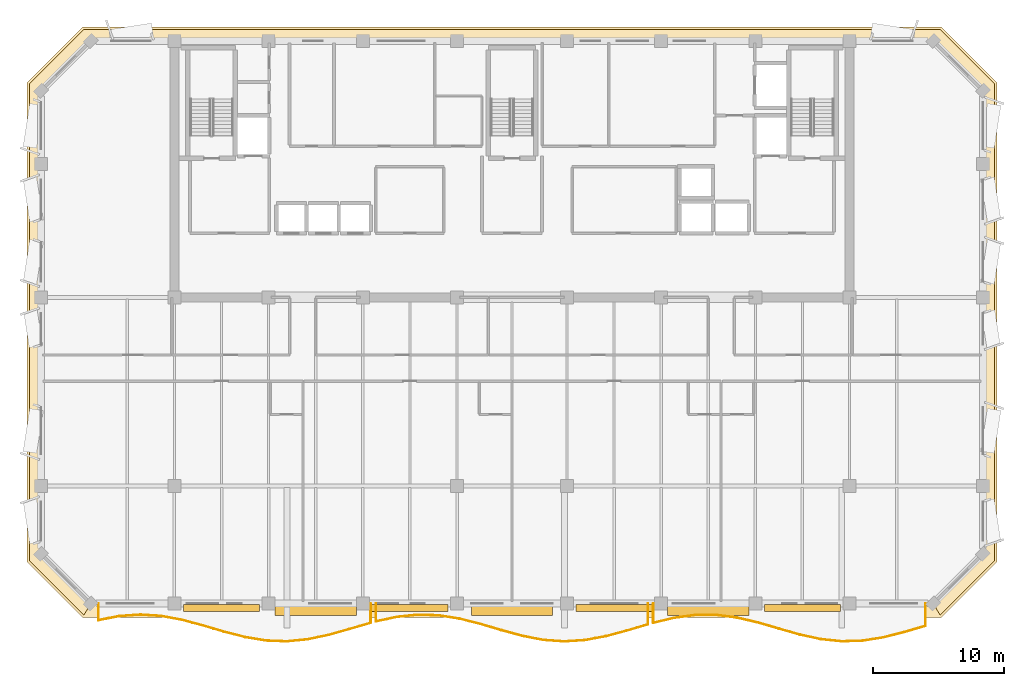
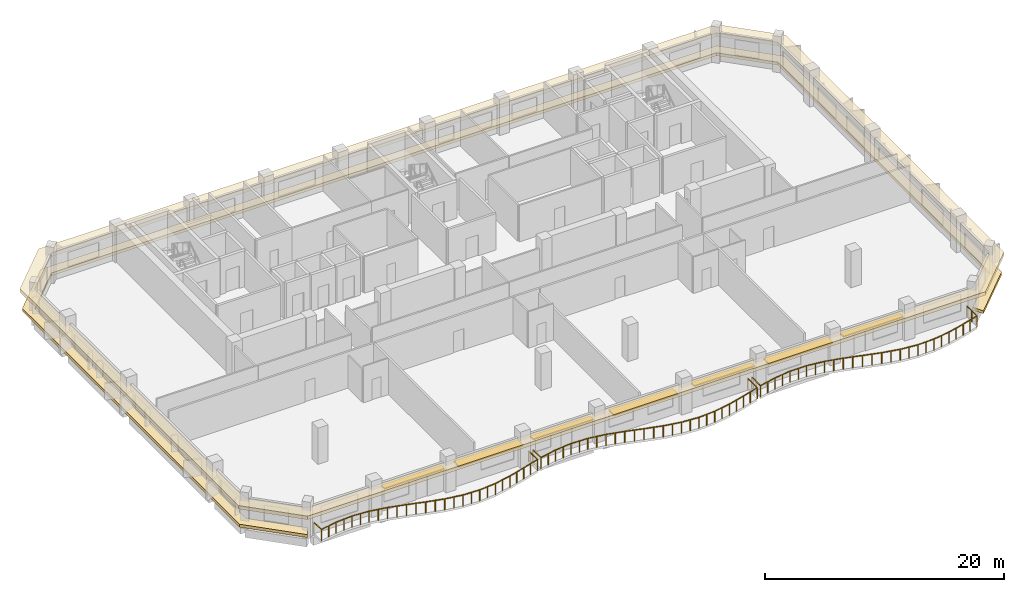
# One storey, part 9 of 11: 7 shading devices, 3 railings, 2 coverings.
"""IFC4 building model written with IfcOpenShell, lengths in metres."""

import ifcopenshell
import ifcopenshell.guid

model = None  # the IFC model being written
_history = None  # IfcOwnerHistory: only IFC2X3 demands one
_inside = {}  # id of a spatial element -> (the spatial element, [elements in it])
_under = {}  # id of a project, library or spatial element -> (it, [spatial elements below it])
_declared = {}  # id of a project -> (the project, [libraries it declares])
_typed = {}  # id of a type object -> (the type object, [elements of that type])
_made_of = {}  # id of a material, layer set ... -> (it, [elements and type objects made of it])


def new_model(schema):
    """Start an empty IFC model of exactly this schema.

    Asked for "IFC4X3", IfcOpenShell would pick the latest addendum, in which some entities
    have other attributes; the version numbers below select the first issue.
    IFC2X3 requires an IfcOwnerHistory on every rooted entity: one is made here for all.
    """
    global model, _history
    if schema == "IFC4X3":
        model = ifcopenshell.file(schema_version=(4, 3, 0, 0))
    else:
        model = ifcopenshell.file(schema=schema)
    _inside.clear()
    _under.clear()
    _declared.clear()
    _typed.clear()
    _made_of.clear()
    _history = None
    if model.schema == "IFC2X3":
        org = make("IfcOrganization", Name="unknown")
        user = make(
            "IfcPersonAndOrganization",
            ThePerson=make("IfcPerson", FamilyName="unknown"),
            TheOrganization=org,
        )
        app = make(
            "IfcApplication",
            ApplicationDeveloper=org,
            Version="unknown",
            ApplicationFullName="unknown",
            ApplicationIdentifier="unknown",
        )
        _history = make(
            "IfcOwnerHistory",
            OwningUser=user,
            OwningApplication=app,
            ChangeAction="ADDED",
            CreationDate=0,
        )
    return model


def make(cls, **values):
    """One entity of the class cls with the attributes given. An attribute that is None is left unset."""
    return model.create_entity(
        cls, **{name: value for name, value in values.items() if value is not None}
    )


def rooted(cls, **values):
    """An entity with a GlobalId (a new one), such as an element, a storey or a relation."""
    return make(cls, GlobalId=ifcopenshell.guid.new(), OwnerHistory=_history, **values)


def si_unit(unit_type, name, prefix=None):
    """IfcSIUnit, for example si_unit("LENGTHUNIT", "METRE", prefix="MILLI")."""
    return make("IfcSIUnit", UnitType=unit_type, Prefix=prefix, Name=name)


def assignment(units):
    """IfcUnitAssignment: the units of a project."""
    return None if units is None else make("IfcUnitAssignment", Units=units)


def point(xyz):
    """IfcCartesianPoint."""
    return None if xyz is None else make("IfcCartesianPoint", Coordinates=xyz)


def direction(xyz):
    """IfcDirection."""
    return None if xyz is None else make("IfcDirection", DirectionRatios=xyz)


def frame(location, z_axis=None, x_axis=None):
    """IfcAxis2Placement3D, a coordinate frame: its origin and axes. An axis left out is left unset."""
    return make(
        "IfcAxis2Placement3D",
        Location=point(location),
        Axis=direction(z_axis),
        RefDirection=direction(x_axis),
    )


def frame_2d(location, x_axis=None):
    """IfcAxis2Placement2D, a coordinate frame in the plane: its origin and x axis."""
    return make(
        "IfcAxis2Placement2D", Location=point(location), RefDirection=direction(x_axis)
    )


def origin():
    """The frame at (0, 0, 0) with its axes left unset."""
    return frame((0.0, 0.0, 0.0))


def origin_2d():
    """The frame at (0, 0) in the plane with its x axis left unset."""
    return frame_2d((0.0, 0.0))


def place(relative_to, where):
    """IfcLocalPlacement: puts the frame where relative to a parent placement (None: the world)."""
    return make(
        "IfcLocalPlacement", PlacementRelTo=relative_to, RelativePlacement=where
    )


def context(
    kind, dimensions, precision=None, world=None, true_north=None, identifier=None
):
    """IfcGeometricRepresentationContext, for example the 3D "Model" context."""
    return make(
        "IfcGeometricRepresentationContext",
        ContextIdentifier=identifier,
        ContextType=kind,
        CoordinateSpaceDimension=dimensions,
        Precision=precision,
        WorldCoordinateSystem=world,
        TrueNorth=true_north,
    )


def subcontext(parent, identifier, kind, view, scale=None):
    """IfcGeometricRepresentationSubContext, for example "Body" below "Model"."""
    return make(
        "IfcGeometricRepresentationSubContext",
        ContextIdentifier=identifier,
        ContextType=kind,
        ParentContext=parent,
        TargetScale=scale,
        TargetView=view,
    )


def project(units=None, contexts=None):
    """IfcProject with its units and contexts."""
    return rooted(
        "IfcProject",
        Name="project",
        RepresentationContexts=contexts,
        UnitsInContext=assignment(units),
    )


def spatial(cls, under=None, at=None, **own):
    """A site, building, storey or space (cls), placed at a placement, below another one or the project."""
    s = rooted(cls, ObjectPlacement=at, **own)
    if under is not None:
        _under.setdefault(under.id(), (under, []))[1].append(s)
    return s


def polyline(points):
    """IfcPolyline through the points."""
    return make("IfcPolyline", Points=[point(p) for p in points])


def profile(cls, at=None, kind="AREA", **sizes):
    """A parametric profile (cls). Its sizes go by their IFC names, for example OverallWidth=200.0."""
    return make(cls, ProfileType=kind, Position=at, **sizes)


def rectangle(**sizes):
    """IfcRectangleProfileDef."""
    return profile("IfcRectangleProfileDef", **sizes)


def outline(outer, holes=None, kind="AREA"):
    """IfcArbitraryClosedProfileDef: a profile drawn as a closed curve; with holes, ...WithVoids."""
    if holes is None:
        return make("IfcArbitraryClosedProfileDef", ProfileType=kind, OuterCurve=outer)
    return make(
        "IfcArbitraryProfileDefWithVoids",
        ProfileType=kind,
        OuterCurve=outer,
        InnerCurves=holes,
    )


def extrude(swept, where, along, depth):
    """IfcExtrudedAreaSolid: the profile swept, set in the frame where, extruded along a direction by depth."""
    return make(
        "IfcExtrudedAreaSolid",
        SweptArea=swept,
        Position=where,
        ExtrudedDirection=direction(along),
        Depth=depth,
    )


def shape(context_of_items, identifier, shape_type, items):
    """IfcShapeRepresentation: the items that make up one representation, for example the "Body"."""
    return make(
        "IfcShapeRepresentation",
        ContextOfItems=context_of_items,
        RepresentationIdentifier=identifier,
        RepresentationType=shape_type,
        Items=items,
    )


def material(Name=None, Category=None):
    """IfcMaterial."""
    return make("IfcMaterial", Name=Name, Category=Category)


def layer(
    of_material, thickness, ventilated=None, Name=None, Category=None, Priority=None
):
    """IfcMaterialLayer: one layer of a wall or slab, of a material (None: an air gap)."""
    return make(
        "IfcMaterialLayer",
        Material=of_material,
        LayerThickness=thickness,
        IsVentilated=ventilated,
        Name=Name,
        Category=Category,
        Priority=Priority,
    )


def layer_set(layers, Name=None):
    """IfcMaterialLayerSet."""
    return make("IfcMaterialLayerSet", MaterialLayers=layers, LayerSetName=Name)


def made_of(thing, what):
    """Note that an element or type object is made of a material, layer set ...; save() writes the relation."""
    if what is not None:
        _made_of.setdefault(what.id(), (what, []))[1].append(thing)
    return thing


def type_object(cls, material=None, **own):
    """A type object (cls), such as IfcWallType, which elements share."""
    return made_of(rooted(cls, **own), material)


def element(
    cls,
    number,
    at=None,
    inside=None,
    cuts=None,
    type_object=None,
    material=None,
    context=None,
    identifier="Body",
    shape_type=None,
    held_by="IfcProductDefinitionShape",
    body=None,
    shapes=None,
    **own,
):
    """One element of the class cls, such as IfcWall. Its Tag is "e" and its number.

    at: its placement. inside: the storey or other place that contains it. cuts: it is an
    opening in that element (IfcRelVoidsElement). A single representation is given by context,
    identifier, shape_type and body (its items); several are given by shapes. held_by: the class
    of the entity that holds the representations. save() writes the other relations.
    """
    e = rooted(cls, Tag="e%d" % number, ObjectPlacement=at, **own)
    if body is not None:
        shapes = [shape(context, identifier, shape_type, body)]
    if shapes is not None:
        e.Representation = make(held_by, Representations=shapes)
    if inside is not None:
        _inside.setdefault(inside.id(), (inside, []))[1].append(e)
    if cuts is not None:
        rooted(
            "IfcRelVoidsElement", RelatingBuildingElement=cuts, RelatedOpeningElement=e
        )
    if type_object is not None:
        _typed.setdefault(type_object.id(), (type_object, []))[1].append(e)
    return made_of(e, material)


def aggregate(whole, parts):
    """IfcRelAggregates: a whole, such as a stair, and the parts it consists of."""
    return rooted("IfcRelAggregates", RelatingObject=whole, RelatedObjects=parts)


def save(model, path):
    """Write the relations noted so far, then the file.

    IfcRelAggregates (storeys below a building ...), IfcRelContainedInSpatialStructure (elements
    in a storey), IfcRelDefinesByType, IfcRelAssociatesMaterial and IfcRelDeclares: one each for
    every whole, place, type object, material and project.
    """
    for whole, parts in _under.values():
        aggregate(whole, parts)
    for where, things in _inside.values():
        rooted(
            "IfcRelContainedInSpatialStructure",
            RelatedElements=things,
            RelatingStructure=where,
        )
    for kind, things in _typed.values():
        rooted("IfcRelDefinesByType", RelatedObjects=things, RelatingType=kind)
    for what, things in _made_of.values():
        rooted("IfcRelAssociatesMaterial", RelatedObjects=things, RelatingMaterial=what)
    for by, libraries in _declared.values():
        rooted("IfcRelDeclares", RelatingContext=by, RelatedDefinitions=libraries)
    model.write(path)


model = new_model("IFC4")

# Units and contexts
model_context = context("Model", 3, precision=1e-05, world=origin(), true_north=direction((0.0, 1.0)))
body_context = subcontext(model_context, "Body", "Model", "MODEL_VIEW")
ifc_project = project(units=[si_unit("LENGTHUNIT", "METRE"), si_unit("AREAUNIT", "SQUARE_METRE"), si_unit("VOLUMEUNIT", "CUBIC_METRE"), si_unit("PLANEANGLEUNIT", "RADIAN"), si_unit("MASSUNIT", "GRAM", prefix="KILO")], contexts=[model_context])

# Site, building, storey
site_placement = place(None, origin())
site = spatial("IfcSite", under=ifc_project, at=site_placement, CompositionType="ELEMENT")
building_placement = place(site_placement, origin())
building = spatial("IfcBuilding", under=site, at=building_placement, Name="Kaelvorn Grand Hotel", CompositionType="ELEMENT")
storey_placement = place(building_placement, frame((0.0, 0.0, 268.64990234375)))
storey = spatial("IfcBuildingStorey", under=building, at=storey_placement, Name="L66", CompositionType="ELEMENT", Elevation=268.64990234375)

# Coverings
ifc_material_1 = material(Name="Precast concrete C45/55", Category="concrete")
ifc_layer_1 = layer(ifc_material_1, 0.260009765625)
ifc_layer_set_1 = layer_set([ifc_layer_1], Name="Precast concrete C45/55")
covering_type_1 = type_object("IfcCoveringType", Name="COV-BAND-STREAMLINE-HEAD", PredefinedType="CLADDING", material=ifc_layer_set_1)
covering_1_placement = place(storey_placement, frame((0.0, 0.0, 2.420166015625)))
element("IfcCovering", 1, at=covering_1_placement, inside=storey, type_object=covering_type_1, Name="L66 Streamline Moderne Wraparound Horizontal Eyebrow Band", PredefinedType="CLADDING", context=body_context, shape_type="SweptSolid", body=[
    extrude(outline(polyline([(9.18994140625, 4.949951171875), (74.81005859375, 4.949951171875), (79.050048828125, 9.18994140625), (79.050048828125, 45.81005859375), (74.81005859375, 50.050048828125), (9.18994140625, 50.050048828125), (4.949951171875, 45.81005859375), (4.949951171875, 9.18994140625), (9.18994140625, 4.949951171875)]), holes=[polyline([(9.820068359375, 6.030029296875), (74.179931640625, 6.030029296875), (77.969970703125, 9.820068359375), (77.969970703125, 45.179931640625), (74.179931640625, 48.969970703125), (9.820068359375, 48.969970703125), (6.030029296875, 45.179931640625), (6.030029296875, 9.820068359375), (9.820068359375, 6.030029296875)])]), origin(), (0.0, 0.0, 1.0), 0.35986328125),
])
ifc_layer_2 = layer(ifc_material_1, 0.219970703125)
ifc_layer_set_2 = layer_set([ifc_layer_2], Name="Precast concrete C45/55")
covering_type_2 = type_object("IfcCoveringType", Name="COV-BAND-STREAMLINE-SILL", PredefinedType="CLADDING", material=ifc_layer_set_2)
covering_2_placement = place(storey_placement, frame((0.0, 0.0, 0.4501953125)))
element("IfcCovering", 2, at=covering_2_placement, inside=storey, type_object=covering_type_2, Name="L66 Streamline Moderne Wraparound Horizontal Sill Spandrel Band", PredefinedType="CLADDING", context=body_context, shape_type="SweptSolid", body=[
    extrude(outline(polyline([(74.715576171875, 5.1201171875), (78.8798828125, 9.284423828125), (78.8798828125, 45.715576171875), (74.715576171875, 49.8798828125), (9.284423828125, 49.8798828125), (5.1201171875, 45.715576171875), (5.1201171875, 9.284423828125), (9.284423828125, 5.1201171875), (9.817626953125, 6.030029296875), (6.030029296875, 9.817626953125), (6.030029296875, 45.182373046875), (9.817626953125, 48.969970703125), (74.182373046875, 48.969970703125), (77.969970703125, 45.182373046875), (77.969970703125, 9.817626953125), (74.182373046875, 6.030029296875), (74.715576171875, 5.1201171875)])), origin(), (0.0, 0.0, 1.0), 0.2998046875),
])

# Railings
ifc_material_2 = material(Name="Stainless Steel", Category="steel")
railing_type = type_object("IfcRailingType", Name="RL-BALC-1150", PredefinedType="BALUSTRADE", material=ifc_material_2)
railing_1_placement = place(storey_placement, frame((10.39990234375, 6.0, 0.0)))
element("IfcRailing", 3, at=railing_1_placement, inside=storey, type_object=railing_type, Name="L66 Scalloped Wave Balcony Balustrade GR1-1", PredefinedType="BALUSTRADE", context=body_context, shape_type="SweptSolid", body=[
    extrude(rectangle(XDim=0.048095703125, YDim=0.048095703125, at=origin_2d()), frame((0.0, 0.0, 1.1259765625), z_axis=(0.0, -1.0, 0.0), x_axis=(1.0, 0.0, 0.0)), (0.0, 0.0, 1.0), 1.2724609375),
    extrude(rectangle(XDim=0.048095703125, YDim=0.048095703125, at=origin_2d()), frame((0.0, -1.2724609375, 1.1259765625), z_axis=(0.981961535476, 0.189080783914, 0.0), x_axis=(-0.189080783914, 0.981961535476, 0.0)), (0.0, 0.0, 1.0), 1.62939453125),
    extrude(rectangle(XDim=0.048095703125, YDim=0.048095703125, at=origin_2d()), frame((1.60009765625, -0.96435546875, 1.1259765625), z_axis=(0.997460244683, 0.071225418754, 0.0), x_axis=(-0.071225418754, 0.997460244683, 0.0)), (0.0, 0.0, 1.0), 1.604248046875),
    extrude(rectangle(XDim=0.048095703125, YDim=0.048095703125, at=origin_2d()), frame((3.2001953125, -0.85009765625, 1.1259765625), z_axis=(0.997903474777, -0.064719819438, 0.0), x_axis=(0.064719819438, 0.997903474777, 0.0)), (0.0, 0.0, 1.0), 1.603271484375),
    extrude(rectangle(XDim=0.048095703125, YDim=0.048095703125, at=origin_2d()), frame((4.800048828125, -0.953857421875, 1.1259765625), z_axis=(0.982923083623, -0.184016878792, 0.0), x_axis=(0.184016878792, 0.982923083623, 0.0)), (0.0, 0.0, 1.0), 1.6279296875),
    extrude(rectangle(XDim=0.048095703125, YDim=0.048095703125, at=origin_2d()), frame((6.400146484375, -1.25341796875, 1.1259765625), z_axis=(0.965440575101, -0.260623283588, 0.0), x_axis=(0.260623283588, 0.965440575101, 0.0)), (0.0, 0.0, 1.0), 1.6572265625),
    extrude(rectangle(XDim=0.048095703125, YDim=0.048095703125, at=origin_2d()), frame((8.0, -1.685302734375, 1.1259765625), z_axis=(0.959113452177, -0.283021882287, 0.0), x_axis=(0.283021882287, 0.959113452177, 0.0)), (0.0, 0.0, 1.0), 1.668212890625),
    extrude(rectangle(XDim=0.048095703125, YDim=0.048095703125, at=origin_2d()), frame((9.60009765625, -2.157470703125, 1.1259765625), z_axis=(0.968397147337, -0.249413241487, 0.0), x_axis=(0.249413241487, 0.968397147337, 0.0)), (0.0, 0.0, 1.0), 1.65234375),
    extrude(rectangle(XDim=0.048095703125, YDim=0.048095703125, at=origin_2d()), frame((11.2001953125, -2.569580078125, 1.1259765625), z_axis=(0.986616814557, -0.163056006434, 0.0), x_axis=(0.163056006434, 0.986616814557, 0.0)), (0.0, 0.0, 1.0), 1.62158203125),
    extrude(rectangle(XDim=0.048095703125, YDim=0.048095703125, at=origin_2d()), frame((12.800048828125, -2.833984375, 1.1259765625), z_axis=(0.999290604033, -0.037660173817, 0.0), x_axis=(0.037660173817, 0.999290604033, 0.0)), (0.0, 0.0, 1.0), 1.601318359375),
    extrude(rectangle(XDim=0.048095703125, YDim=0.048095703125, at=origin_2d()), frame((14.400146484375, -2.894287109375, 1.1259765625), z_axis=(0.995249900455, 0.097353149121, 0.0), x_axis=(-0.097353149121, 0.995249900455, 0.0)), (0.0, 0.0, 1.0), 1.607421875),
    extrude(rectangle(XDim=0.048095703125, YDim=0.048095703125, at=origin_2d()), frame((16.0, -2.73779296875, 1.1259765625), z_axis=(0.97815050545, 0.207898024732, 0.0), x_axis=(-0.207898024732, 0.97815050545, 0.0)), (0.0, 0.0, 1.0), 1.6357421875),
    extrude(rectangle(XDim=0.048095703125, YDim=0.048095703125, at=origin_2d()), frame((17.60009765625, -2.397705078125, 1.1259765625), z_axis=(0.962471316232, 0.271383428806, 0.0), x_axis=(-0.271383428806, 0.962471316232, 0.0)), (0.0, 0.0, 1.0), 1.66259765625),
    extrude(rectangle(XDim=0.048095703125, YDim=0.048095703125, at=origin_2d()), frame((19.2001953125, -1.946533203125, 1.1259765625), z_axis=(0.960011484756, 0.279960620688, 0.0), x_axis=(-0.279960620688, 0.960011484756, 0.0)), (0.0, 0.0, 1.0), 1.66650390625),
    extrude(rectangle(XDim=0.048095703125, YDim=0.048095703125, at=origin_2d()), frame((20.800048828125, -1.47998046875, 1.1259765625), z_axis=(0.0, 1.0, 0.0), x_axis=(-1.0, 0.0, 0.0)), (0.0, 0.0, 1.0), 1.47998046875),
    extrude(rectangle(XDim=0.0419921875, YDim=0.0419921875, at=origin_2d()), origin(), (0.0, 0.0, 1.0), 1.101806640625),
    extrude(rectangle(XDim=0.0419921875, YDim=0.0419921875, at=origin_2d()), frame((0.0, -1.2724609375, 0.0)), (0.0, 0.0, 1.0), 1.101806640625),
    extrude(rectangle(XDim=0.0419921875, YDim=0.0419921875, at=origin_2d()), frame((0.800048828125, -1.118408203125, 0.0)), (0.0, 0.0, 1.0), 1.101806640625),
    extrude(rectangle(XDim=0.0419921875, YDim=0.0419921875, at=origin_2d()), frame((1.60009765625, -0.96435546875, 0.0)), (0.0, 0.0, 1.0), 1.101806640625),
    extrude(rectangle(XDim=0.0419921875, YDim=0.0419921875, at=origin_2d()), frame((2.400146484375, -0.9072265625, 0.0)), (0.0, 0.0, 1.0), 1.101806640625),
    extrude(rectangle(XDim=0.0419921875, YDim=0.0419921875, at=origin_2d()), frame((3.2001953125, -0.85009765625, 0.0)), (0.0, 0.0, 1.0), 1.101806640625),
    extrude(rectangle(XDim=0.0419921875, YDim=0.0419921875, at=origin_2d()), frame((4.0, -0.90185546875, 0.0)), (0.0, 0.0, 1.0), 1.101806640625),
    extrude(rectangle(XDim=0.0419921875, YDim=0.0419921875, at=origin_2d()), frame((4.800048828125, -0.953857421875, 0.0)), (0.0, 0.0, 1.0), 1.101806640625),
    extrude(rectangle(XDim=0.0419921875, YDim=0.0419921875, at=origin_2d()), frame((5.60009765625, -1.103515625, 0.0)), (0.0, 0.0, 1.0), 1.101806640625),
    extrude(rectangle(XDim=0.0419921875, YDim=0.0419921875, at=origin_2d()), frame((6.400146484375, -1.25341796875, 0.0)), (0.0, 0.0, 1.0), 1.101806640625),
    extrude(rectangle(XDim=0.0419921875, YDim=0.0419921875, at=origin_2d()), frame((7.2001953125, -1.46923828125, 0.0)), (0.0, 0.0, 1.0), 1.101806640625),
    extrude(rectangle(XDim=0.0419921875, YDim=0.0419921875, at=origin_2d()), frame((8.0, -1.685302734375, 0.0)), (0.0, 0.0, 1.0), 1.101806640625),
    extrude(rectangle(XDim=0.0419921875, YDim=0.0419921875, at=origin_2d()), frame((8.800048828125, -1.92138671875, 0.0)), (0.0, 0.0, 1.0), 1.101806640625),
    extrude(rectangle(XDim=0.0419921875, YDim=0.0419921875, at=origin_2d()), frame((9.60009765625, -2.157470703125, 0.0)), (0.0, 0.0, 1.0), 1.101806640625),
    extrude(rectangle(XDim=0.0419921875, YDim=0.0419921875, at=origin_2d()), frame((10.400146484375, -2.363525390625, 0.0)), (0.0, 0.0, 1.0), 1.101806640625),
    extrude(rectangle(XDim=0.0419921875, YDim=0.0419921875, at=origin_2d()), frame((11.2001953125, -2.569580078125, 0.0)), (0.0, 0.0, 1.0), 1.101806640625),
    extrude(rectangle(XDim=0.0419921875, YDim=0.0419921875, at=origin_2d()), frame((12.0, -2.70166015625, 0.0)), (0.0, 0.0, 1.0), 1.101806640625),
    extrude(rectangle(XDim=0.0419921875, YDim=0.0419921875, at=origin_2d()), frame((12.800048828125, -2.833984375, 0.0)), (0.0, 0.0, 1.0), 1.101806640625),
    extrude(rectangle(XDim=0.0419921875, YDim=0.0419921875, at=origin_2d()), frame((13.60009765625, -2.8642578125, 0.0)), (0.0, 0.0, 1.0), 1.101806640625),
    extrude(rectangle(XDim=0.0419921875, YDim=0.0419921875, at=origin_2d()), frame((14.400146484375, -2.894287109375, 0.0)), (0.0, 0.0, 1.0), 1.101806640625),
    extrude(rectangle(XDim=0.0419921875, YDim=0.0419921875, at=origin_2d()), frame((15.2001953125, -2.81591796875, 0.0)), (0.0, 0.0, 1.0), 1.101806640625),
    extrude(rectangle(XDim=0.0419921875, YDim=0.0419921875, at=origin_2d()), frame((16.0, -2.73779296875, 0.0)), (0.0, 0.0, 1.0), 1.101806640625),
    extrude(rectangle(XDim=0.0419921875, YDim=0.0419921875, at=origin_2d()), frame((16.800048828125, -2.56787109375, 0.0)), (0.0, 0.0, 1.0), 1.101806640625),
    extrude(rectangle(XDim=0.0419921875, YDim=0.0419921875, at=origin_2d()), frame((17.60009765625, -2.397705078125, 0.0)), (0.0, 0.0, 1.0), 1.101806640625),
    extrude(rectangle(XDim=0.0419921875, YDim=0.0419921875, at=origin_2d()), frame((18.400146484375, -2.172119140625, 0.0)), (0.0, 0.0, 1.0), 1.101806640625),
    extrude(rectangle(XDim=0.0419921875, YDim=0.0419921875, at=origin_2d()), frame((19.2001953125, -1.946533203125, 0.0)), (0.0, 0.0, 1.0), 1.101806640625),
    extrude(rectangle(XDim=0.0419921875, YDim=0.0419921875, at=origin_2d()), frame((20.0, -1.71337890625, 0.0)), (0.0, 0.0, 1.0), 1.101806640625),
    extrude(rectangle(XDim=0.0419921875, YDim=0.0419921875, at=origin_2d()), frame((20.800048828125, -1.47998046875, 0.0)), (0.0, 0.0, 1.0), 1.101806640625),
    extrude(rectangle(XDim=0.0419921875, YDim=0.0419921875, at=origin_2d()), frame((20.800048828125, 0.0, 0.0)), (0.0, 0.0, 1.0), 1.101806640625),
])
railing_2_placement = place(storey_placement, frame((31.60009765625, 6.0, 0.0)))
element("IfcRailing", 4, at=railing_2_placement, inside=storey, type_object=railing_type, Name="L66 Scalloped Wave Balcony Balustrade GR1-2", PredefinedType="BALUSTRADE", context=body_context, shape_type="SweptSolid", body=[
    extrude(rectangle(XDim=0.048095703125, YDim=0.048095703125, at=origin_2d()), frame((0.0, 0.0, 1.1259765625), z_axis=(0.0, -1.0, 0.0), x_axis=(1.0, 0.0, 0.0)), (0.0, 0.0, 1.0), 1.372802734375),
    extrude(rectangle(XDim=0.048095703125, YDim=0.048095703125, at=origin_2d()), frame((0.0, -1.372802734375, 1.1259765625), z_axis=(0.977193856825, 0.212349161013, 0.0), x_axis=(-0.212349161013, 0.977193856825, 0.0)), (0.0, 0.0, 1.0), 1.63720703125),
    extrude(rectangle(XDim=0.048095703125, YDim=0.048095703125, at=origin_2d()), frame((1.599853515625, -1.025146484375, 1.1259765625), z_axis=(0.994613846753, 0.103649871427, 0.0), x_axis=(-0.103649871427, 0.994613846753, 0.0)), (0.0, 0.0, 1.0), 1.608642578125),
    extrude(rectangle(XDim=0.048095703125, YDim=0.048095703125, at=origin_2d()), frame((3.199951171875, -0.8583984375, 1.1259765625), z_axis=(0.999525230254, -0.030810941021, 0.0), x_axis=(0.030810941021, 0.999525230254, 0.0)), (0.0, 0.0, 1.0), 1.6005859375),
    extrude(rectangle(XDim=0.048095703125, YDim=0.048095703125, at=origin_2d()), frame((4.7998046875, -0.90771484375, 1.1259765625), z_axis=(0.987502610882, -0.157602644337, 0.0), x_axis=(0.157602644337, 0.987502610882, 0.0)), (0.0, 0.0, 1.0), 1.620361328125),
    extrude(rectangle(XDim=0.048095703125, YDim=0.048095703125, at=origin_2d()), frame((6.39990234375, -1.1630859375, 1.1259765625), z_axis=(0.969213406092, -0.246222203409, 0.0), x_axis=(0.246222203409, 0.969213406092, 0.0)), (0.0, 0.0, 1.0), 1.65087890625),
    extrude(rectangle(XDim=0.048095703125, YDim=0.048095703125, at=origin_2d()), frame((8.0, -1.569580078125, 1.1259765625), z_axis=(0.959181165875, -0.282792310769, 0.0), x_axis=(0.282792310769, 0.959181165875, 0.0)), (0.0, 0.0, 1.0), 1.66796875),
    extrude(rectangle(XDim=0.048095703125, YDim=0.048095703125, at=origin_2d()), frame((9.599853515625, -2.041259765625, 1.1259765625), z_axis=(0.964780804406, -0.263055126255, 0.0), x_axis=(0.263055126255, 0.964780804406, 0.0)), (0.0, 0.0, 1.0), 1.658447265625),
    extrude(rectangle(XDim=0.048095703125, YDim=0.048095703125, at=origin_2d()), frame((11.199951171875, -2.4775390625, 1.1259765625), z_axis=(0.981956177773, -0.189108606188, 0.0), x_axis=(0.189108606188, 0.981956177773, 0.0)), (0.0, 0.0, 1.0), 1.629150390625),
    extrude(rectangle(XDim=0.048095703125, YDim=0.048095703125, at=origin_2d()), frame((12.7998046875, -2.78564453125, 1.1259765625), z_axis=(0.997460244683, -0.071225418754, 0.0), x_axis=(0.071225418754, 0.997460244683, 0.0)), (0.0, 0.0, 1.0), 1.604248046875),
    extrude(rectangle(XDim=0.048095703125, YDim=0.048095703125, at=origin_2d()), frame((14.39990234375, -2.89990234375, 1.1259765625), z_axis=(0.997904112488, 0.064709985933, 0.0), x_axis=(-0.064709985933, 0.997904112488, 0.0)), (0.0, 0.0, 1.0), 1.603515625),
    extrude(rectangle(XDim=0.048095703125, YDim=0.048095703125, at=origin_2d()), frame((16.0, -2.796142578125, 1.1259765625), z_axis=(0.982918004082, 0.184044009005, 0.0), x_axis=(-0.184044009005, 0.982918004082, 0.0)), (0.0, 0.0, 1.0), 1.627685546875),
    extrude(rectangle(XDim=0.048095703125, YDim=0.048095703125, at=origin_2d()), frame((17.599853515625, -2.49658203125, 1.1259765625), z_axis=(0.965450580149, 0.260586218536, 0.0), x_axis=(-0.260586218536, 0.965450580149, 0.0)), (0.0, 0.0, 1.0), 1.657470703125),
    extrude(rectangle(XDim=0.048095703125, YDim=0.048095703125, at=origin_2d()), frame((19.199951171875, -2.064697265625, 1.1259765625), z_axis=(0.959101727658, 0.283061611673, 0.0), x_axis=(-0.283061611673, 0.959101727658, 0.0)), (0.0, 0.0, 1.0), 1.66796875),
    extrude(rectangle(XDim=0.048095703125, YDim=0.048095703125, at=origin_2d()), frame((20.7998046875, -1.592529296875, 1.1259765625), z_axis=(0.0, 1.0, 0.0), x_axis=(-1.0, 0.0, 0.0)), (0.0, 0.0, 1.0), 1.592529296875),
    extrude(rectangle(XDim=0.0419921875, YDim=0.0419921875, at=origin_2d()), origin(), (0.0, 0.0, 1.0), 1.101806640625),
    extrude(rectangle(XDim=0.0419921875, YDim=0.0419921875, at=origin_2d()), frame((0.0, -1.372802734375, 0.0)), (0.0, 0.0, 1.0), 1.101806640625),
    extrude(rectangle(XDim=0.0419921875, YDim=0.0419921875, at=origin_2d()), frame((0.7998046875, -1.198974609375, 0.0)), (0.0, 0.0, 1.0), 1.101806640625),
    extrude(rectangle(XDim=0.0419921875, YDim=0.0419921875, at=origin_2d()), frame((1.599853515625, -1.025146484375, 0.0)), (0.0, 0.0, 1.0), 1.101806640625),
    extrude(rectangle(XDim=0.0419921875, YDim=0.0419921875, at=origin_2d()), frame((2.39990234375, -0.94189453125, 0.0)), (0.0, 0.0, 1.0), 1.101806640625),
    extrude(rectangle(XDim=0.0419921875, YDim=0.0419921875, at=origin_2d()), frame((3.199951171875, -0.8583984375, 0.0)), (0.0, 0.0, 1.0), 1.101806640625),
    extrude(rectangle(XDim=0.0419921875, YDim=0.0419921875, at=origin_2d()), frame((4.0, -0.883056640625, 0.0)), (0.0, 0.0, 1.0), 1.101806640625),
    extrude(rectangle(XDim=0.0419921875, YDim=0.0419921875, at=origin_2d()), frame((4.7998046875, -0.90771484375, 0.0)), (0.0, 0.0, 1.0), 1.101806640625),
    extrude(rectangle(XDim=0.0419921875, YDim=0.0419921875, at=origin_2d()), frame((5.599853515625, -1.035400390625, 0.0)), (0.0, 0.0, 1.0), 1.101806640625),
    extrude(rectangle(XDim=0.0419921875, YDim=0.0419921875, at=origin_2d()), frame((6.39990234375, -1.1630859375, 0.0)), (0.0, 0.0, 1.0), 1.101806640625),
    extrude(rectangle(XDim=0.0419921875, YDim=0.0419921875, at=origin_2d()), frame((7.199951171875, -1.3662109375, 0.0)), (0.0, 0.0, 1.0), 1.101806640625),
    extrude(rectangle(XDim=0.0419921875, YDim=0.0419921875, at=origin_2d()), frame((8.0, -1.569580078125, 0.0)), (0.0, 0.0, 1.0), 1.101806640625),
    extrude(rectangle(XDim=0.0419921875, YDim=0.0419921875, at=origin_2d()), frame((8.7998046875, -1.805419921875, 0.0)), (0.0, 0.0, 1.0), 1.101806640625),
    extrude(rectangle(XDim=0.0419921875, YDim=0.0419921875, at=origin_2d()), frame((9.599853515625, -2.041259765625, 0.0)), (0.0, 0.0, 1.0), 1.101806640625),
    extrude(rectangle(XDim=0.0419921875, YDim=0.0419921875, at=origin_2d()), frame((10.39990234375, -2.25927734375, 0.0)), (0.0, 0.0, 1.0), 1.101806640625),
    extrude(rectangle(XDim=0.0419921875, YDim=0.0419921875, at=origin_2d()), frame((11.199951171875, -2.4775390625, 0.0)), (0.0, 0.0, 1.0), 1.101806640625),
    extrude(rectangle(XDim=0.0419921875, YDim=0.0419921875, at=origin_2d()), frame((12.0, -2.631591796875, 0.0)), (0.0, 0.0, 1.0), 1.101806640625),
    extrude(rectangle(XDim=0.0419921875, YDim=0.0419921875, at=origin_2d()), frame((12.7998046875, -2.78564453125, 0.0)), (0.0, 0.0, 1.0), 1.101806640625),
    extrude(rectangle(XDim=0.0419921875, YDim=0.0419921875, at=origin_2d()), frame((13.599853515625, -2.8427734375, 0.0)), (0.0, 0.0, 1.0), 1.101806640625),
    extrude(rectangle(XDim=0.0419921875, YDim=0.0419921875, at=origin_2d()), frame((14.39990234375, -2.89990234375, 0.0)), (0.0, 0.0, 1.0), 1.101806640625),
    extrude(rectangle(XDim=0.0419921875, YDim=0.0419921875, at=origin_2d()), frame((15.199951171875, -2.84814453125, 0.0)), (0.0, 0.0, 1.0), 1.101806640625),
    extrude(rectangle(XDim=0.0419921875, YDim=0.0419921875, at=origin_2d()), frame((16.0, -2.796142578125, 0.0)), (0.0, 0.0, 1.0), 1.101806640625),
    extrude(rectangle(XDim=0.0419921875, YDim=0.0419921875, at=origin_2d()), frame((16.7998046875, -2.646484375, 0.0)), (0.0, 0.0, 1.0), 1.101806640625),
    extrude(rectangle(XDim=0.0419921875, YDim=0.0419921875, at=origin_2d()), frame((17.599853515625, -2.49658203125, 0.0)), (0.0, 0.0, 1.0), 1.101806640625),
    extrude(rectangle(XDim=0.0419921875, YDim=0.0419921875, at=origin_2d()), frame((18.39990234375, -2.28076171875, 0.0)), (0.0, 0.0, 1.0), 1.101806640625),
    extrude(rectangle(XDim=0.0419921875, YDim=0.0419921875, at=origin_2d()), frame((19.199951171875, -2.064697265625, 0.0)), (0.0, 0.0, 1.0), 1.101806640625),
    extrude(rectangle(XDim=0.0419921875, YDim=0.0419921875, at=origin_2d()), frame((20.0, -1.82861328125, 0.0)), (0.0, 0.0, 1.0), 1.101806640625),
    extrude(rectangle(XDim=0.0419921875, YDim=0.0419921875, at=origin_2d()), frame((20.7998046875, -1.592529296875, 0.0)), (0.0, 0.0, 1.0), 1.101806640625),
    extrude(rectangle(XDim=0.0419921875, YDim=0.0419921875, at=origin_2d()), frame((20.7998046875, 0.0, 0.0)), (0.0, 0.0, 1.0), 1.101806640625),
])
railing_3_placement = place(storey_placement, frame((52.800048828125, 6.0, 0.0)))
element("IfcRailing", 5, at=railing_3_placement, inside=storey, type_object=railing_type, Name="L66 Scalloped Wave Balcony Balustrade GR1-3", PredefinedType="BALUSTRADE", context=body_context, shape_type="SweptSolid", body=[
    extrude(rectangle(XDim=0.048095703125, YDim=0.048095703125, at=origin_2d()), frame((0.0, 0.0, 1.1259765625), z_axis=(0.0, -1.0, 0.0), x_axis=(1.0, 0.0, 0.0)), (0.0, 0.0, 1.0), 1.47998046875),
    extrude(rectangle(XDim=0.048095703125, YDim=0.048095703125, at=origin_2d()), frame((0.0, -1.47998046875, 1.1259765625), z_axis=(0.972579621463, 0.232570161275, 0.0), x_axis=(-0.232570161275, 0.972579621463, 0.0)), (0.0, 0.0, 1.0), 1.64501953125),
    extrude(rectangle(XDim=0.048095703125, YDim=0.048095703125, at=origin_2d()), frame((1.599853515625, -1.097412109375, 1.1259765625), z_axis=(0.990925604237, 0.134411483394, 0.0), x_axis=(-0.134411483394, 0.990925604237, 0.0)), (0.0, 0.0, 1.0), 1.61474609375),
    extrude(rectangle(XDim=0.048095703125, YDim=0.048095703125, at=origin_2d()), frame((3.199951171875, -0.88037109375, 1.1259765625), z_axis=(0.999994366234, 0.003356709804, 0.0), x_axis=(-0.003356709804, 0.999994366234, 0.0)), (0.0, 0.0, 1.0), 1.60009765625),
    extrude(rectangle(XDim=0.048095703125, YDim=0.048095703125, at=origin_2d()), frame((4.800048828125, -0.875, 1.1259765625), z_axis=(0.99171143647, -0.128485122778, 0.0), x_axis=(0.128485122778, 0.99171143647, 0.0)), (0.0, 0.0, 1.0), 1.61328125),
    extrude(rectangle(XDim=0.048095703125, YDim=0.048095703125, at=origin_2d()), frame((6.39990234375, -1.082275390625, 1.1259765625), z_axis=(0.973520315758, -0.228600513572, 0.0), x_axis=(0.228600513572, 0.973520315758, 0.0)), (0.0, 0.0, 1.0), 1.6435546875),
    extrude(rectangle(XDim=0.048095703125, YDim=0.048095703125, at=origin_2d()), frame((8.0, -1.4580078125, 1.1259765625), z_axis=(0.96032597197, -0.278879951878, 0.0), x_axis=(0.278879951878, 0.96032597197, 0.0)), (0.0, 0.0, 1.0), 1.666015625),
    extrude(rectangle(XDim=0.048095703125, YDim=0.048095703125, at=origin_2d()), frame((9.599853515625, -1.922607421875, 1.1259765625), z_axis=(0.961932726831, -0.273286349918, 0.0), x_axis=(0.273286349918, 0.961932726831, 0.0)), (0.0, 0.0, 1.0), 1.663330078125),
    extrude(rectangle(XDim=0.048095703125, YDim=0.048095703125, at=origin_2d()), frame((11.199951171875, -2.377197265625, 1.1259765625), z_axis=(0.977200579572, -0.212318221744, 0.0), x_axis=(0.212318221744, 0.977200579572, 0.0)), (0.0, 0.0, 1.0), 1.637451171875),
    extrude(rectangle(XDim=0.048095703125, YDim=0.048095703125, at=origin_2d()), frame((12.800048828125, -2.724853515625, 1.1259765625), z_axis=(0.994612216016, -0.103665518623, 0.0), x_axis=(0.103665518623, 0.994612216016, 0.0)), (0.0, 0.0, 1.0), 1.6083984375),
    extrude(rectangle(XDim=0.048095703125, YDim=0.048095703125, at=origin_2d()), frame((14.39990234375, -2.8916015625, 1.1259765625), z_axis=(0.999525375019, 0.030806244393, 0.0), x_axis=(-0.030806244393, 0.999525375019, 0.0)), (0.0, 0.0, 1.0), 1.600830078125),
    extrude(rectangle(XDim=0.048095703125, YDim=0.048095703125, at=origin_2d()), frame((16.0, -2.84228515625, 1.1259765625), z_axis=(0.987498867572, 0.157626097281, 0.0), x_axis=(-0.157626097281, 0.987498867572, 0.0)), (0.0, 0.0, 1.0), 1.6201171875),
    extrude(rectangle(XDim=0.048095703125, YDim=0.048095703125, at=origin_2d()), frame((17.599853515625, -2.5869140625, 1.1259765625), z_axis=(0.969213406092, 0.246222203409, 0.0), x_axis=(-0.246222203409, 0.969213406092, 0.0)), (0.0, 0.0, 1.0), 1.65087890625),
    extrude(rectangle(XDim=0.048095703125, YDim=0.048095703125, at=origin_2d()), frame((19.199951171875, -2.180419921875, 1.1259765625), z_axis=(0.959192869064, 0.282752612608, 0.0), x_axis=(-0.282752612608, 0.959192869064, 0.0)), (0.0, 0.0, 1.0), 1.668212890625),
    extrude(rectangle(XDim=0.048095703125, YDim=0.048095703125, at=origin_2d()), frame((20.800048828125, -1.708740234375, 1.1259765625), z_axis=(0.0, 1.0, 0.0), x_axis=(-1.0, 0.0, 0.0)), (0.0, 0.0, 1.0), 1.708740234375),
    extrude(rectangle(XDim=0.0419921875, YDim=0.0419921875, at=origin_2d()), origin(), (0.0, 0.0, 1.0), 1.101806640625),
    extrude(rectangle(XDim=0.0419921875, YDim=0.0419921875, at=origin_2d()), frame((0.0, -1.47998046875, 0.0)), (0.0, 0.0, 1.0), 1.101806640625),
    extrude(rectangle(XDim=0.0419921875, YDim=0.0419921875, at=origin_2d()), frame((0.7998046875, -1.28857421875, 0.0)), (0.0, 0.0, 1.0), 1.101806640625),
    extrude(rectangle(XDim=0.0419921875, YDim=0.0419921875, at=origin_2d()), frame((1.599853515625, -1.097412109375, 0.0)), (0.0, 0.0, 1.0), 1.101806640625),
    extrude(rectangle(XDim=0.0419921875, YDim=0.0419921875, at=origin_2d()), frame((2.39990234375, -0.98876953125, 0.0)), (0.0, 0.0, 1.0), 1.101806640625),
    extrude(rectangle(XDim=0.0419921875, YDim=0.0419921875, at=origin_2d()), frame((3.199951171875, -0.88037109375, 0.0)), (0.0, 0.0, 1.0), 1.101806640625),
    extrude(rectangle(XDim=0.0419921875, YDim=0.0419921875, at=origin_2d()), frame((4.0, -0.877685546875, 0.0)), (0.0, 0.0, 1.0), 1.101806640625),
    extrude(rectangle(XDim=0.0419921875, YDim=0.0419921875, at=origin_2d()), frame((4.800048828125, -0.875, 0.0)), (0.0, 0.0, 1.0), 1.101806640625),
    extrude(rectangle(XDim=0.0419921875, YDim=0.0419921875, at=origin_2d()), frame((5.60009765625, -0.978515625, 0.0)), (0.0, 0.0, 1.0), 1.101806640625),
    extrude(rectangle(XDim=0.0419921875, YDim=0.0419921875, at=origin_2d()), frame((6.39990234375, -1.082275390625, 0.0)), (0.0, 0.0, 1.0), 1.101806640625),
    extrude(rectangle(XDim=0.0419921875, YDim=0.0419921875, at=origin_2d()), frame((7.199951171875, -1.27001953125, 0.0)), (0.0, 0.0, 1.0), 1.101806640625),
    extrude(rectangle(XDim=0.0419921875, YDim=0.0419921875, at=origin_2d()), frame((8.0, -1.4580078125, 0.0)), (0.0, 0.0, 1.0), 1.101806640625),
    extrude(rectangle(XDim=0.0419921875, YDim=0.0419921875, at=origin_2d()), frame((8.7998046875, -1.6904296875, 0.0)), (0.0, 0.0, 1.0), 1.101806640625),
    extrude(rectangle(XDim=0.0419921875, YDim=0.0419921875, at=origin_2d()), frame((9.599853515625, -1.922607421875, 0.0)), (0.0, 0.0, 1.0), 1.101806640625),
    extrude(rectangle(XDim=0.0419921875, YDim=0.0419921875, at=origin_2d()), frame((10.39990234375, -2.14990234375, 0.0)), (0.0, 0.0, 1.0), 1.101806640625),
    extrude(rectangle(XDim=0.0419921875, YDim=0.0419921875, at=origin_2d()), frame((11.199951171875, -2.377197265625, 0.0)), (0.0, 0.0, 1.0), 1.101806640625),
    extrude(rectangle(XDim=0.0419921875, YDim=0.0419921875, at=origin_2d()), frame((12.0, -2.551025390625, 0.0)), (0.0, 0.0, 1.0), 1.101806640625),
    extrude(rectangle(XDim=0.0419921875, YDim=0.0419921875, at=origin_2d()), frame((12.800048828125, -2.724853515625, 0.0)), (0.0, 0.0, 1.0), 1.101806640625),
    extrude(rectangle(XDim=0.0419921875, YDim=0.0419921875, at=origin_2d()), frame((13.60009765625, -2.80810546875, 0.0)), (0.0, 0.0, 1.0), 1.101806640625),
    extrude(rectangle(XDim=0.0419921875, YDim=0.0419921875, at=origin_2d()), frame((14.39990234375, -2.8916015625, 0.0)), (0.0, 0.0, 1.0), 1.101806640625),
    extrude(rectangle(XDim=0.0419921875, YDim=0.0419921875, at=origin_2d()), frame((15.199951171875, -2.866943359375, 0.0)), (0.0, 0.0, 1.0), 1.101806640625),
    extrude(rectangle(XDim=0.0419921875, YDim=0.0419921875, at=origin_2d()), frame((16.0, -2.84228515625, 0.0)), (0.0, 0.0, 1.0), 1.101806640625),
    extrude(rectangle(XDim=0.0419921875, YDim=0.0419921875, at=origin_2d()), frame((16.7998046875, -2.714599609375, 0.0)), (0.0, 0.0, 1.0), 1.101806640625),
    extrude(rectangle(XDim=0.0419921875, YDim=0.0419921875, at=origin_2d()), frame((17.599853515625, -2.5869140625, 0.0)), (0.0, 0.0, 1.0), 1.101806640625),
    extrude(rectangle(XDim=0.0419921875, YDim=0.0419921875, at=origin_2d()), frame((18.39990234375, -2.3837890625, 0.0)), (0.0, 0.0, 1.0), 1.101806640625),
    extrude(rectangle(XDim=0.0419921875, YDim=0.0419921875, at=origin_2d()), frame((19.199951171875, -2.180419921875, 0.0)), (0.0, 0.0, 1.0), 1.101806640625),
    extrude(rectangle(XDim=0.0419921875, YDim=0.0419921875, at=origin_2d()), frame((20.0, -1.944580078125, 0.0)), (0.0, 0.0, 1.0), 1.101806640625),
    extrude(rectangle(XDim=0.0419921875, YDim=0.0419921875, at=origin_2d()), frame((20.800048828125, -1.708740234375, 0.0)), (0.0, 0.0, 1.0), 1.101806640625),
    extrude(rectangle(XDim=0.0419921875, YDim=0.0419921875, at=origin_2d()), frame((20.800048828125, -0.8544921875, 0.0)), (0.0, 0.0, 1.0), 1.101806640625),
    extrude(rectangle(XDim=0.0419921875, YDim=0.0419921875, at=origin_2d()), frame((20.800048828125, 0.0, 0.0)), (0.0, 0.0, 1.0), 1.101806640625),
])

# Shading devices
ifc_layer_3 = layer(ifc_material_1, 0.1201171875)
ifc_layer_set_3 = layer_set([ifc_layer_3], Name="Precast concrete C45/55")
shading_device_type_1 = type_object("IfcShadingDeviceType", Name="SHD-SUNSHADE-550", PredefinedType="USERDEFINED", material=ifc_layer_set_3)
for number, where, z_axis, x_axis, name in (
    (6, (19.800048828125, 5.655029296875, 2.56005859375), (0.0, 0.0, 1.0), (1.0, 0.0, 0.0), "L66 Horizontal Concrete Sunshade Band SS-03"),
    (7, (34.199951171875, 5.655029296875, 2.56005859375), (0.0, 0.0, 1.0), (1.0, 0.0, 0.0), "L66 Horizontal Concrete Sunshade Band SS-05"),
    (8, (49.800048828125, 5.655029296875, 2.56005859375), (0.0, 0.0, 1.0), (1.0, 0.0, 0.0), "L66 Horizontal Concrete Sunshade Band SS-07"),
    (9, (64.199951171875, 5.655029296875, 2.56005859375), (0.0, 0.0, 1.0), (1.0, 0.0, 0.0), "L66 Horizontal Concrete Sunshade Band SS-09"),
):
    element("IfcShadingDevice", number, at=place(storey_placement, frame(where, z_axis=z_axis, x_axis=x_axis)), inside=storey, type_object=shading_device_type_1, Name=name, ObjectType="SUNSHADE", PredefinedType="USERDEFINED", context=body_context, shape_type="SweptSolid", body=[
        extrude(rectangle(XDim=5.800048828125, YDim=0.550048828125, at=origin_2d()), origin(), (0.0, 0.0, 1.0), 0.1201171875),
    ])
ifc_layer_4 = layer(ifc_material_1, 0.139892578125)
ifc_layer_set_4 = layer_set([ifc_layer_4], Name="Precast concrete C45/55")
shading_device_type_2 = type_object("IfcShadingDeviceType", Name="SHD-SUNSHADE-850", PredefinedType="USERDEFINED", material=ifc_layer_set_4)
for number, where, z_axis, x_axis, name in (
    (10, (27.0, 5.5048828125, 2.55029296875), (0.0, 0.0, 1.0), (1.0, 0.0, 0.0), "L66 Horizontal Concrete Sunshade Band SS-04"),
    (11, (42.0, 5.5048828125, 2.55029296875), (0.0, 0.0, 1.0), (1.0, 0.0, 0.0), "L66 Horizontal Concrete Sunshade Band SS-06"),
    (12, (57.0, 5.5048828125, 2.55029296875), (0.0, 0.0, 1.0), (1.0, 0.0, 0.0), "L66 Horizontal Concrete Sunshade Band SS-08"),
):
    element("IfcShadingDevice", number, at=place(storey_placement, frame(where, z_axis=z_axis, x_axis=x_axis)), inside=storey, type_object=shading_device_type_2, Name=name, ObjectType="SUNSHADE", PredefinedType="USERDEFINED", context=body_context, shape_type="SweptSolid", body=[
        extrude(rectangle(XDim=6.199951171875, YDim=0.85009765625, at=origin_2d()), origin(), (0.0, 0.0, 1.0), 0.139892578125),
    ])

save(model, "model.ifc")
